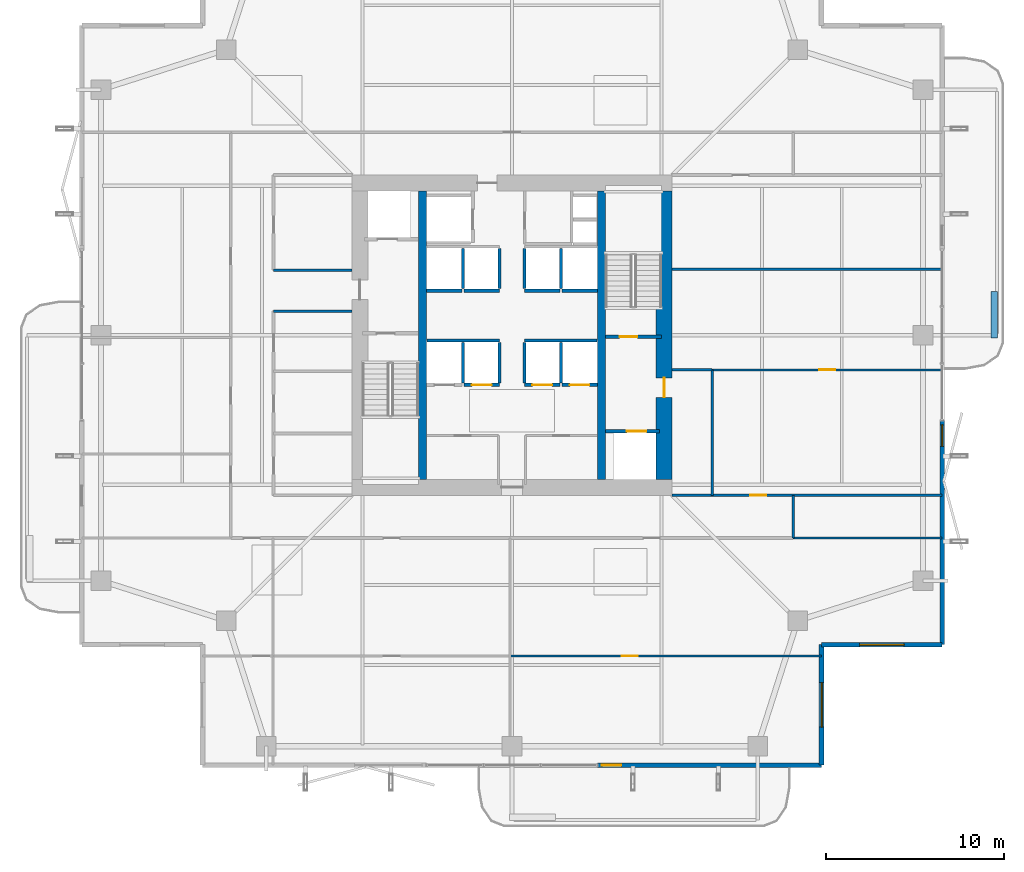
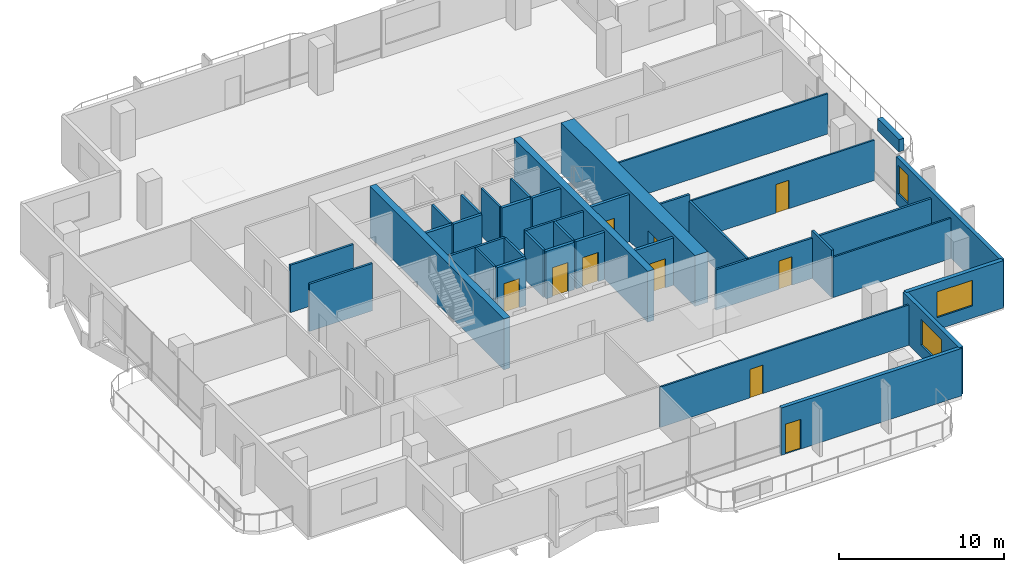
# One storey, part 19 of 24: 37 walls, 10 doors, 3 windows, 13 openings.
"""IFC4 building model written with IfcOpenShell, lengths in metres."""

from ifc_helpers import new_model, si_unit, direction, frame, frame_2d, origin, place, context, subcontext, project, spatial, rectangle, extrude, material, layer, layer_set, type_object, element, fill, save


model = new_model("IFC4")

# Units and contexts
model_context = context("Model", 3, precision=1e-05, world=origin(), true_north=direction((0.0, 1.0)))
body_context = subcontext(model_context, "Body", "Model", "MODEL_VIEW")
ifc_project = project(units=[si_unit("LENGTHUNIT", "METRE"), si_unit("AREAUNIT", "SQUARE_METRE"), si_unit("VOLUMEUNIT", "CUBIC_METRE"), si_unit("PLANEANGLEUNIT", "RADIAN"), si_unit("MASSUNIT", "GRAM", prefix="KILO")], contexts=[model_context])

# Site, building, storey
site_placement = place(None, origin())
site = spatial("IfcSite", under=ifc_project, at=site_placement, CompositionType="ELEMENT")
building_placement = place(site_placement, origin())
building = spatial("IfcBuilding", under=site, at=building_placement, Name="Belovzor Exchange Tower", CompositionType="ELEMENT")
storey_placement = place(building_placement, frame((0.0, 0.0, 179.550048828125)))
storey = spatial("IfcBuildingStorey", under=building, at=storey_placement, Name="L44", CompositionType="ELEMENT", Elevation=179.550048828125)

# Wall, opening, door
ifc_material_1 = material(Name="Acoustic Plasterboard on Galvanised Studs", Category="gypsum")
ifc_layer_1 = layer(ifc_material_1, 0.1201171875)
ifc_layer_set_1 = layer_set([ifc_layer_1], Name="Acoustic Plasterboard on Galvanised Studs")
wall_type_1 = type_object("IfcWallType", Name="Acoustic Double-Stud Partition Wall 120", PredefinedType="PARTITIONING", material=ifc_layer_set_1)
wall_1_placement = place(storey_placement, frame((28.696044921875, 10.76611328125, 0.0), z_axis=(0.0, 0.0, 1.0), x_axis=(1.0, 0.0, 0.0)))
wall_1 = element("IfcWall", 1, at=wall_1_placement, inside=storey, type_object=wall_type_1, Name="W-P120 Partition Wall W-L44-SHDIV-2", PredefinedType="PARTITIONING", context=body_context, shape_type="SweptSolid", body=[
    extrude(rectangle(XDim=17.50390625, YDim=0.1201171875, at=frame_2d((8.751953125, 0.0))), origin(), (0.0, 0.0, 1.0), 2.97998046875),
])
opening_1_placement = place(wall_1_placement, frame((6.277099609375, 0.0, 0.0)))
opening_1 = element("IfcOpeningElement", 2, at=opening_1_placement, cuts=wall_1, Name="Opening D-INT-090", PredefinedType="OPENING", context=body_context, shape_type="SweptSolid", body=[
    extrude(rectangle(XDim=0.89990234375, YDim=2.10009765625, at=frame_2d((0.449951171875, 1.050048828125))), frame((0.0, 0.070068359375, 0.0), z_axis=(0.0, -1.0, 0.0), x_axis=(1.0, 0.0, 0.0)), (0.0, 0.0, 1.0), 0.14013671875),
])
ifc_material_2 = material(Name="Veneered Hardwood Acoustic Leaf", Category="wood")
door_type_1 = type_object("IfcDoorType", Name="Trading Suite Acoustic Single Door 900x2100", OperationType="NOTDEFINED", PredefinedType="DOOR", material=ifc_material_2)
door_1_placement = place(opening_1_placement, origin())
door_1 = element("IfcDoor", 3, at=door_1_placement, inside=storey, type_object=door_type_1, Name="D-INT-090 Trading Suite Acoustic Single Door 900x2100", OperationType="SINGLE_SWING_LEFT", OverallHeight=2.10009765625, OverallWidth=0.89990234375, PredefinedType="DOOR", context=body_context, shape_type="SweptSolid", body=[
    extrude(rectangle(XDim=0.89990234375, YDim=2.10009765625, at=frame_2d((0.449951171875, 1.050048828125))), frame((0.0, 0.02490234375, 0.0), z_axis=(0.0, -1.0, 0.0), x_axis=(1.0, 0.0, 0.0)), (0.0, 0.0, 1.0), 0.050048828125),
])
fill(opening_1, door_1)

wall_2_placement = place(storey_placement, frame((40.050048828125, 26.85009765625, 0.0), z_axis=(0.0, 0.0, 1.0), x_axis=(1.0, 0.0, 0.0)))
wall_2 = element("IfcWall", 4, at=wall_2_placement, inside=storey, type_object=wall_type_1, Name="W-P120 Partition Wall W-L44-EDIV-1", PredefinedType="PARTITIONING", context=body_context, shape_type="SweptSolid", body=[
    extrude(rectangle(XDim=12.919921875, YDim=0.1201171875, at=frame_2d((6.4599609375, 0.0))), origin(), (0.0, 0.0, 1.0), 2.97998046875),
])
opening_2_placement = place(wall_2_placement, frame((6.010009765625, 0.0, 0.0)))
opening_2 = element("IfcOpeningElement", 5, at=opening_2_placement, cuts=wall_2, Name="Opening D-INT-090", PredefinedType="OPENING", context=body_context, shape_type="SweptSolid", body=[
    extrude(rectangle(XDim=0.89990234375, YDim=2.10009765625, at=frame_2d((0.449951171875, 1.050048828125))), frame((0.0, 0.070068359375, 0.0), z_axis=(0.0, -1.0, 0.0), x_axis=(1.0, 0.0, 0.0)), (0.0, 0.0, 1.0), 0.14013671875),
])
door_2_placement = place(opening_2_placement, origin())
door_2 = element("IfcDoor", 6, at=door_2_placement, inside=storey, type_object=door_type_1, Name="D-INT-090 Trading Suite Acoustic Single Door 900x2100", OperationType="SINGLE_SWING_LEFT", OverallHeight=2.10009765625, OverallWidth=0.89990234375, PredefinedType="DOOR", context=body_context, shape_type="SweptSolid", body=[
    extrude(rectangle(XDim=0.89990234375, YDim=2.10009765625, at=frame_2d((0.449951171875, 1.050048828125))), frame((0.0, 0.02490234375, 0.0), z_axis=(0.0, -1.0, 0.0), x_axis=(1.0, 0.0, 0.0)), (0.0, 0.0, 1.0), 0.050048828125),
])
fill(opening_2, door_2)

# Walls
wall_3_placement = place(storey_placement, frame((37.800048828125, 32.5, 0.0), z_axis=(0.0, 0.0, 1.0), x_axis=(1.0, 0.0, 0.0)))
element("IfcWall", 7, at=wall_3_placement, inside=storey, type_object=wall_type_1, Name="W-P120 Partition Wall W-L44-EDIV-2", PredefinedType="PARTITIONING", context=body_context, shape_type="SweptSolid", body=[
    extrude(rectangle(XDim=15.169921875, YDim=0.1201171875, at=frame_2d((7.5849609375, 0.0))), origin(), (0.0, 0.0, 1.0), 2.97998046875),
])
wall_4_placement = place(storey_placement, frame((44.60009765625, 17.39990234375, 0.0), z_axis=(0.0, 0.0, 1.0), x_axis=(1.0, 0.0, 0.0)))
element("IfcWall", 8, at=wall_4_placement, inside=storey, type_object=wall_type_1, Name="W-P120 Partition Wall W-L44-END-SE", PredefinedType="PARTITIONING", context=body_context, shape_type="SweptSolid", body=[
    extrude(rectangle(XDim=8.369873046875, YDim=0.1201171875, at=frame_2d((4.18505859375, 0.0))), origin(), (0.0, 0.0, 1.0), 2.97998046875),
])
ifc_material_3 = material(Name="Fire-Rated Gypsum Block and Mineral Wool", Category="gypsum")
ifc_layer_2 = layer(ifc_material_3, 0.14990234375)
ifc_layer_set_2 = layer_set([ifc_layer_2], Name="Fire-Rated Gypsum Block and Mineral Wool")
wall_type_2 = type_object("IfcWallType", Name="Fire-Rated Gypsum Block Corridor Wall 150", PredefinedType="PARTITIONING", material=ifc_layer_set_2)
for number, where, z_axis, x_axis, name in (
    (9, (15.39990234375, 30.14990234375, 0.0), (0.0, 0.0, 1.0), (1.0, 0.0, 0.0), "W-P150 Partition Wall W-L44-WIC-N"),
    (10, (15.39990234375, 32.449951171875, 0.0), (0.0, 0.0, 1.0), (1.0, 0.0, 0.0), "W-P150 Partition Wall W-L44-CFW-N"),
):
    element("IfcWall", number, at=place(storey_placement, frame(where, z_axis=z_axis, x_axis=x_axis)), inside=storey, type_object=wall_type_2, Name=name, PredefinedType="PARTITIONING", context=body_context, shape_type="SweptSolid", body=[
        extrude(rectangle(XDim=4.400146484375, YDim=0.14990234375, at=frame_2d((2.2001953125, 0.0))), origin(), (0.0, 0.0, 1.0), 3.494873046875),
    ])
wall_5_placement = place(storey_placement, frame((37.800048828125, 26.85009765625, 0.0), z_axis=(0.0, 0.0, 1.0), x_axis=(1.0, 0.0, 0.0)))
element("IfcWall", 11, at=wall_5_placement, inside=storey, type_object=wall_type_2, Name="W-P150 Partition Wall W-L44-CFE-N", PredefinedType="PARTITIONING", context=body_context, shape_type="SweptSolid", body=[
    extrude(rectangle(XDim=2.25, YDim=0.14990234375, at=frame_2d((1.125, 0.0))), origin(), (0.0, 0.0, 1.0), 3.494873046875),
])
wall_6_placement = place(storey_placement, frame((40.050048828125, 19.800048828125, 0.0), z_axis=(0.0, 0.0, 1.0), x_axis=(0.0, 1.0, 0.0)))
element("IfcWall", 12, at=wall_6_placement, inside=storey, type_object=wall_type_2, Name="W-P150 Partition Wall W-L44-CFE-E", PredefinedType="PARTITIONING", context=body_context, shape_type="SweptSolid", body=[
    extrude(rectangle(XDim=7.050048828125, YDim=0.14990234375, at=frame_2d((3.52490234375, 0.0))), origin(), (0.0, 0.0, 1.0), 3.030029296875),
])
wall_7_placement = place(storey_placement, frame((44.60009765625, 17.39990234375, 0.0), z_axis=(0.0, 0.0, 1.0), x_axis=(0.0, 1.0, 0.0)))
element("IfcWall", 13, at=wall_7_placement, inside=storey, type_object=wall_type_2, Name="W-P150 Partition Wall W-L44-END-ES", PredefinedType="PARTITIONING", context=body_context, shape_type="SweptSolid", body=[
    extrude(rectangle(XDim=2.400146484375, YDim=0.14990234375, at=frame_2d((1.2001953125, 0.0))), origin(), (0.0, 0.0, 1.0), 3.494873046875),
])

# Wall, opening, door
wall_8_placement = place(storey_placement, frame((37.800048828125, 19.800048828125, 0.0), z_axis=(0.0, 0.0, 1.0), x_axis=(1.0, 0.0, 0.0)))
wall_8 = element("IfcWall", 14, at=wall_8_placement, inside=storey, type_object=wall_type_2, Name="W-P150 Partition Wall W-L44-CS-IN", PredefinedType="PARTITIONING", context=body_context, shape_type="SweptSolid", body=[
    extrude(rectangle(XDim=15.169921875, YDim=0.14990234375, at=frame_2d((7.5849609375, 0.0))), origin(), (0.0, 0.0, 1.0), 2.97998046875),
])
opening_3_placement = place(wall_8_placement, frame((4.39990234375, 0.0, 0.0)))
opening_3 = element("IfcOpeningElement", 15, at=opening_3_placement, cuts=wall_8, Name="Opening D-INT-090", PredefinedType="OPENING", context=body_context, shape_type="SweptSolid", body=[
    extrude(rectangle(XDim=0.89990234375, YDim=2.10009765625, at=frame_2d((0.449951171875, 1.050048828125))), frame((0.0, 0.0849609375, 0.0), z_axis=(0.0, -1.0, 0.0), x_axis=(1.0, 0.0, 0.0)), (0.0, 0.0, 1.0), 0.169921875),
])
door_3_placement = place(opening_3_placement, origin())
door_3 = element("IfcDoor", 16, at=door_3_placement, inside=storey, type_object=door_type_1, Name="D-INT-090 Trading Suite Acoustic Single Door 900x2100", OperationType="SINGLE_SWING_LEFT", OverallHeight=2.10009765625, OverallWidth=0.89990234375, PredefinedType="DOOR", context=body_context, shape_type="SweptSolid", body=[
    extrude(rectangle(XDim=0.89990234375, YDim=2.10009765625, at=frame_2d((0.449951171875, 1.050048828125))), frame((0.0, 0.02490234375, 0.0), z_axis=(0.0, -1.0, 0.0), x_axis=(1.0, 0.0, 0.0)), (0.0, 0.0, 1.0), 0.050048828125),
])
fill(opening_3, door_3)

# Wall, opening, window
ifc_material_4 = material(Name="Precast concrete C40/50", Category="concrete")
ifc_layer_3 = layer(ifc_material_4, 0.280029296875)
ifc_layer_set_3 = layer_set([ifc_layer_3], Name="Precast concrete C40/50")
wall_type_3 = type_object("IfcWallType", Name="Precast Concrete Notched Corner Frame Wall 280", PredefinedType="SOLIDWALL", material=ifc_layer_set_3)
wall_9_placement = place(storey_placement, frame((52.969970703125, 11.39990234375, 0.0), z_axis=(0.0, 0.0, 1.0), x_axis=(-1.0, 0.0, 0.0)))
wall_9 = element("IfcWall", 17, at=wall_9_placement, inside=storey, type_object=wall_type_3, Name="W-CRN280 Precast Concrete Notched Corner Frame Wall 280 L44", PredefinedType="SOLIDWALL", context=body_context, shape_type="SweptSolid", body=[
    extrude(rectangle(XDim=6.77001953125, YDim=0.280029296875, at=frame_2d((3.385009765625, 0.0))), origin(), (0.0, 0.0, 1.0), 3.494873046875),
])
opening_4_placement = place(wall_9_placement, frame((2.135009765625, 0.0, 0.89990234375)))
opening_4 = element("IfcOpeningElement", 18, at=opening_4_placement, cuts=wall_9, Name="Opening WN-CRN250", PredefinedType="OPENING", context=body_context, shape_type="SweptSolid", body=[
    extrude(rectangle(XDim=2.5, YDim=1.89990234375, at=frame_2d((1.25, 0.949951171875))), frame((0.0, 0.14990234375, 0.0), z_axis=(0.0, -1.0, 0.0), x_axis=(1.0, 0.0, 0.0)), (0.0, 0.0, 1.0), 0.300048828125),
])
ifc_material_5 = material(Name="Thermally Broken Aluminium and Triple Glazing", Category="aluminium")
window_type_1 = type_object("IfcWindowType", Name="Streamline Moderne Corner Wrap Ribbon Window 2500x1900", PartitioningType="SINGLE_PANEL", PredefinedType="WINDOW", material=ifc_material_5)
window_1_placement = place(opening_4_placement, origin())
window_1 = element("IfcWindow", 19, at=window_1_placement, inside=storey, type_object=window_type_1, Name="WN-CRN250 Streamline Moderne Corner Wrap Ribbon Window 2500x1900", OverallHeight=1.89990234375, OverallWidth=2.5, PartitioningType="SINGLE_PANEL", PredefinedType="WINDOW", context=body_context, shape_type="SweptSolid", body=[
    extrude(rectangle(XDim=2.5, YDim=1.89990234375, at=frame_2d((1.25, 0.949951171875))), frame((0.0, 0.030029296875, 0.0), z_axis=(0.0, -1.0, 0.0), x_axis=(1.0, 0.0, 0.0)), (0.0, 0.0, 1.0), 0.06005859375),
])
fill(opening_4, window_1)

wall_10_placement = place(storey_placement, frame((46.199951171875, 11.39990234375, 0.0), z_axis=(0.0, 0.0, 1.0), x_axis=(0.0, -1.0, 0.0)))
wall_10 = element("IfcWall", 20, at=wall_10_placement, inside=storey, type_object=wall_type_3, Name="W-CRN280 Precast Concrete Notched Corner Frame Wall 280 L44", PredefinedType="SOLIDWALL", context=body_context, shape_type="SweptSolid", body=[
    extrude(rectangle(XDim=6.77001953125, YDim=0.280029296875, at=frame_2d((3.385009765625, 0.0))), origin(), (0.0, 0.0, 1.0), 3.494873046875),
])
opening_5_placement = place(wall_10_placement, frame((2.135009765625, 0.0, 0.89990234375)))
opening_5 = element("IfcOpeningElement", 21, at=opening_5_placement, cuts=wall_10, Name="Opening WN-CRN250", PredefinedType="OPENING", context=body_context, shape_type="SweptSolid", body=[
    extrude(rectangle(XDim=2.5, YDim=1.89990234375, at=frame_2d((1.25, 0.949951171875))), frame((0.0, 0.14990234375, 0.0), z_axis=(0.0, -1.0, 0.0), x_axis=(1.0, 0.0, 0.0)), (0.0, 0.0, 1.0), 0.300048828125),
])
window_2_placement = place(opening_5_placement, origin())
window_2 = element("IfcWindow", 22, at=window_2_placement, inside=storey, type_object=window_type_1, Name="WN-CRN250 Streamline Moderne Corner Wrap Ribbon Window 2500x1900", OverallHeight=1.89990234375, OverallWidth=2.5, PartitioningType="SINGLE_PANEL", PredefinedType="WINDOW", context=body_context, shape_type="SweptSolid", body=[
    extrude(rectangle(XDim=2.5, YDim=1.89990234375, at=frame_2d((1.25, 0.949951171875))), frame((0.0, 0.030029296875, 0.0), z_axis=(0.0, -1.0, 0.0), x_axis=(1.0, 0.0, 0.0)), (0.0, 0.0, 1.0), 0.06005859375),
])
fill(opening_5, window_2)

# Wall, opening, door
ifc_material_6 = material(Name="Precast concrete C40/50", Category="concrete")
ifc_layer_4 = layer(ifc_material_6, 0.260009765625)
ifc_layer_set_4 = layer_set([ifc_layer_4], Name="Precast concrete C40/50")
wall_type_4 = type_object("IfcWallType", Name="Precast Concrete Perimeter Loggia Frame Wall 260", PredefinedType="SOLIDWALL", material=ifc_layer_set_4)
wall_11_placement = place(storey_placement, frame((46.199951171875, 4.6298828125, 0.0), z_axis=(0.0, 0.0, 1.0), x_axis=(-1.0, 0.0, 0.0)))
wall_11 = element("IfcWall", 23, at=wall_11_placement, inside=storey, type_object=wall_type_4, Name="W-EXT260 Precast Concrete Perimeter Loggia Frame Wall 260 L44", PredefinedType="SOLIDWALL", context=body_context, shape_type="SweptSolid", body=[
    extrude(rectangle(XDim=12.599853515625, YDim=0.260009765625, at=frame_2d((6.2998046875, 0.0))), origin(), (0.0, 0.0, 1.0), 3.494873046875),
])
opening_6_placement = place(wall_11_placement, frame((11.25, 0.0, 0.0)))
opening_6 = element("IfcOpeningElement", 24, at=opening_6_placement, cuts=wall_11, Name="Opening D-BAL110", PredefinedType="OPENING", context=body_context, shape_type="SweptSolid", body=[
    extrude(rectangle(XDim=1.10009765625, YDim=2.199951171875, at=frame_2d((0.550048828125, 1.10009765625))), frame((0.0, 0.139892578125, 0.0), z_axis=(0.0, -1.0, 0.0), x_axis=(1.0, 0.0, 0.0)), (0.0, 0.0, 1.0), 0.280029296875),
])
ifc_material_7 = material(Name="Thermally Broken Anodised Aluminium and Laminated Glass", Category="aluminium")
door_type_2 = type_object("IfcDoorType", Name="Planted Loggia Terrace Glazed Door 1100x2200", OperationType="SINGLE_SWING_LEFT", PredefinedType="DOOR", material=ifc_material_7)
door_4_placement = place(opening_6_placement, origin())
door_4 = element("IfcDoor", 25, at=door_4_placement, inside=storey, type_object=door_type_2, Name="D-BAL110 Balcony Terrace Door L44 S", OperationType="SINGLE_SWING_LEFT", OverallHeight=2.199951171875, OverallWidth=1.10009765625, PredefinedType="DOOR", context=body_context, shape_type="SweptSolid", body=[
    extrude(rectangle(XDim=1.10009765625, YDim=2.199951171875, at=frame_2d((0.550048828125, 1.10009765625))), frame((0.0, 0.02490234375, 0.0), z_axis=(0.0, -1.0, 0.0), x_axis=(1.0, 0.0, 0.0)), (0.0, 0.0, 1.0), 0.050048828125),
])
fill(opening_6, door_4)

# Wall, opening, window
wall_12_placement = place(storey_placement, frame((52.969970703125, 24.0, 0.0), z_axis=(0.0, 0.0, 1.0), x_axis=(0.0, -1.0, 0.0)))
wall_12 = element("IfcWall", 26, at=wall_12_placement, inside=storey, type_object=wall_type_4, Name="W-EXT260 Precast Concrete Perimeter Loggia Frame Wall 260 L44", PredefinedType="SOLIDWALL", context=body_context, shape_type="SweptSolid", body=[
    extrude(rectangle(XDim=12.60009765625, YDim=0.260009765625, at=frame_2d((6.300048828125, 0.0))), origin(), (0.0, 0.0, 1.0), 3.494873046875),
])
opening_7_placement = place(wall_12_placement, frame((0.25, 0.0, 0.89990234375)))
opening_7 = element("IfcOpeningElement", 27, at=opening_7_placement, cuts=wall_12, Name="Opening WN-CRN120", PredefinedType="OPENING", context=body_context, shape_type="SweptSolid", body=[
    extrude(rectangle(XDim=1.199951171875, YDim=2.10009765625, at=frame_2d((0.60009765625, 1.050048828125))), frame((0.0, 0.139892578125, 0.0), z_axis=(0.0, -1.0, 0.0), x_axis=(1.0, 0.0, 0.0)), (0.0, 0.0, 1.0), 0.280029296875),
])
ifc_material_8 = material(Name="Thermally Broken Aluminium and Triple Glazing", Category="aluminium")
window_type_2 = type_object("IfcWindowType", Name="Streamline Notched Corner Window 1200x2100", PartitioningType="SINGLE_PANEL", PredefinedType="WINDOW", material=ifc_material_8)
window_3_placement = place(opening_7_placement, origin())
window_3 = element("IfcWindow", 28, at=window_3_placement, inside=storey, type_object=window_type_2, Name="WN-CRN120 Streamline Notched Corner Window 1200x2100", OverallHeight=2.10009765625, OverallWidth=1.199951171875, PartitioningType="SINGLE_PANEL", PredefinedType="WINDOW", context=body_context, shape_type="SweptSolid", body=[
    extrude(rectangle(XDim=1.199951171875, YDim=2.10009765625, at=frame_2d((0.60009765625, 1.050048828125))), frame((0.0, 0.030029296875, 0.0), z_axis=(0.0, -1.0, 0.0), x_axis=(1.0, 0.0, 0.0)), (0.0, 0.0, 1.0), 0.06005859375),
])
fill(opening_7, window_3)

# Walls
ifc_material_9 = material(Name="Precast concrete C40/50", Category="concrete")
ifc_layer_5 = layer(ifc_material_9, 0.35009765625)
ifc_layer_set_5 = layer_set([ifc_layer_5], Name="Precast concrete C40/50")
wall_type_5 = type_object("IfcWallType", Name="Precast Concrete Structural Tree Planter Trough 350", PredefinedType="PARAPET", material=ifc_layer_set_5)
wall_13_placement = place(storey_placement, frame((55.89990234375, 28.64990234375, 0.0), z_axis=(0.0, 0.0, 1.0), x_axis=(0.0, 1.0, 0.0)))
element("IfcWall", 29, at=wall_13_placement, inside=storey, type_object=wall_type_5, Name="PT-350 Precast Concrete Structural Tree Planter Trough 350 L44", PredefinedType="PARAPET", context=body_context, shape_type="SweptSolid", body=[
    extrude(rectangle(XDim=2.60009765625, YDim=0.35009765625, at=frame_2d((1.300048828125, 0.0))), origin(), (0.0, 0.0, 1.0), 0.89990234375),
])
ifc_material_10 = material(Name="Concrete C50/60", Category="concrete")
ifc_layer_6 = layer(ifc_material_10, 0.449951171875)
ifc_layer_set_6 = layer_set([ifc_layer_6], Name="Concrete C50/60")
wall_type_6 = type_object("IfcWallType", Name="Reinforced Concrete Core Internal Web Wall 450", PredefinedType="SHEAR", material=ifc_layer_set_6)
for number, where, z_axis, x_axis, name in (
    (30, (23.77490234375, 20.699951171875, 0.0), (0.0, 0.0, 1.0), (0.0, 1.0, 0.0), "CW-W045 Core Internal Web Wall L44 WL"),
    (31, (33.824951171875, 20.699951171875, 0.0), (0.0, 0.0, 1.0), (0.0, 1.0, 0.0), "CW-W045 Core Internal Web Wall L44 ER"),
):
    element("IfcWall", number, at=place(storey_placement, frame(where, z_axis=z_axis, x_axis=x_axis)), inside=storey, type_object=wall_type_6, Name=name, PredefinedType="SHEAR", context=body_context, shape_type="SweptSolid", body=[
        extrude(rectangle(XDim=16.199951171875, YDim=0.449951171875, at=frame_2d((8.10009765625, 0.0))), origin(), (0.0, 0.0, 1.0), 3.75),
    ])
ifc_material_11 = material(Name="Concrete C50/60", Category="concrete")
ifc_layer_7 = layer(ifc_material_11, 0.14990234375)
ifc_layer_set_7 = layer_set([ifc_layer_7], Name="Concrete C50/60")
wall_type_7 = type_object("IfcWallType", Name="Reinforced Concrete Core Riser Shear Wall 150", PredefinedType="SHEAR", material=ifc_layer_set_7)
for number, where, z_axis, x_axis, name in (
    (32, (24.02001953125, 28.5, 0.0), (0.0, 0.0, 1.0), (1.0, 0.0, 0.0), "W-C150S Core Shaft Wall W-SHB-L44-PLM-NW"),
    (33, (29.5, 28.5, 0.0), (0.0, 0.0, 1.0), (1.0, 0.0, 0.0), "W-C150S Core Shaft Wall W-SHB-L44-PLM-NE"),
):
    element("IfcWall", number, at=place(storey_placement, frame(where, z_axis=z_axis, x_axis=x_axis)), inside=storey, type_object=wall_type_7, Name=name, PredefinedType="SHEAR", context=body_context, shape_type="SweptSolid", body=[
        extrude(rectangle(XDim=4.080078125, YDim=0.14990234375, at=frame_2d((2.0400390625, 0.0))), origin(), (0.0, 0.0, 1.0), 3.494873046875),
    ])
for number, where, z_axis, x_axis, name in (
    (34, (26.050048828125, 26.1201171875, 0.0), (0.0, 0.0, 1.0), (0.0, 1.0, 0.0), "W-C150S Core Shaft Wall W-SHD-L44-PLM-1"),
    (35, (28.10009765625, 26.1201171875, 0.0), (0.0, 0.0, 1.0), (0.0, 1.0, 0.0), "W-C150S Core Shaft Wall W-SHD-L44-PLM-2"),
    (36, (29.5, 26.1201171875, 0.0), (0.0, 0.0, 1.0), (0.0, 1.0, 0.0), "W-C150S Core Shaft Wall W-SHD-L44-PLM-3"),
    (37, (31.550048828125, 26.1201171875, 0.0), (0.0, 0.0, 1.0), (0.0, 1.0, 0.0), "W-C150S Core Shaft Wall W-SHD-L44-PLM-4"),
):
    element("IfcWall", number, at=place(storey_placement, frame(where, z_axis=z_axis, x_axis=x_axis)), inside=storey, type_object=wall_type_7, Name=name, PredefinedType="SHEAR", context=body_context, shape_type="SweptSolid", body=[
        extrude(rectangle(XDim=2.27978515625, YDim=0.14990234375, at=frame_2d((1.139892578125, 0.0))), origin(), (0.0, 0.0, 1.0), 3.494873046875),
    ])
for number, where, z_axis, x_axis, name in (
    (38, (26.050048828125, 31.419921875, 0.0), (0.0, 0.0, 1.0), (0.0, 1.0, 0.0), "W-C150S Core Shaft Wall W-SHD-L44-PLH-1"),
    (39, (28.10009765625, 31.419921875, 0.0), (0.0, 0.0, 1.0), (0.0, 1.0, 0.0), "W-C150S Core Shaft Wall W-SHD-L44-PLH-2"),
    (40, (29.5, 31.419921875, 0.0), (0.0, 0.0, 1.0), (0.0, 1.0, 0.0), "W-C150S Core Shaft Wall W-SHD-L44-PLH-3"),
    (41, (31.550048828125, 31.419921875, 0.0), (0.0, 0.0, 1.0), (0.0, 1.0, 0.0), "W-C150S Core Shaft Wall W-SHD-L44-PLH-4"),
):
    element("IfcWall", number, at=place(storey_placement, frame(where, z_axis=z_axis, x_axis=x_axis)), inside=storey, type_object=wall_type_7, Name=name, PredefinedType="SHEAR", context=body_context, shape_type="SweptSolid", body=[
        extrude(rectangle(XDim=2.239990234375, YDim=0.14990234375, at=frame_2d((1.1201171875, 0.0))), origin(), (0.0, 0.0, 1.0), 3.494873046875),
    ])

# Wall, opening, door
ifc_material_12 = material(Name="Concrete C50/60", Category="concrete")
ifc_layer_8 = layer(ifc_material_12, 0.199951171875)
ifc_layer_set_8 = layer_set([ifc_layer_8], Name="Concrete C50/60")
wall_type_8 = type_object("IfcWallType", Name="Reinforced Concrete Core Shaft Shear Wall 200", PredefinedType="SHEAR", material=ifc_layer_set_8)
wall_14_placement = place(storey_placement, frame((34.050048828125, 28.699951171875, 0.0), z_axis=(0.0, 0.0, 1.0), x_axis=(1.0, 0.0, 0.0)))
wall_14 = element("IfcWall", 42, at=wall_14_placement, inside=storey, type_object=wall_type_8, Name="W-C200S Core Shaft Wall W-CORE-L44-FFLE2", PredefinedType="SHEAR", context=body_context, shape_type="SweptSolid", body=[
    extrude(rectangle(XDim=3.14990234375, YDim=0.199951171875, at=frame_2d((1.574951171875, 0.0))), origin(), (0.0, 0.0, 1.0), 3.494873046875),
])
opening_8_placement = place(wall_14_placement, frame((0.800048828125, 0.0, 0.0)))
opening_8 = element("IfcOpeningElement", 43, at=opening_8_placement, cuts=wall_14, Name="Opening D-FD90-100", PredefinedType="OPENING", context=body_context, shape_type="SweptSolid", body=[
    extrude(rectangle(XDim=1.0, YDim=2.10009765625, at=frame_2d((0.5, 1.050048828125))), frame((0.0, 0.10986328125, 0.0), z_axis=(0.0, -1.0, 0.0), x_axis=(1.0, 0.0, 0.0)), (0.0, 0.0, 1.0), 0.219970703125),
])
ifc_material_13 = material(Name="Fire-Rated Galvanised Steel Leaf", Category="steel")
door_type_3 = type_object("IfcDoorType", Name="Protected Stairwell Single Fire Door 1000x2100", OperationType="NOTDEFINED", PredefinedType="DOOR", material=ifc_material_13)
door_5_placement = place(opening_8_placement, origin())
door_5 = element("IfcDoor", 44, at=door_5_placement, inside=storey, type_object=door_type_3, Name="D-FD90-100 Protected Stairwell Single Fire Door 1000x2100", OperationType="SINGLE_SWING_LEFT", OverallHeight=2.10009765625, OverallWidth=1.0, PredefinedType="DOOR", context=body_context, shape_type="SweptSolid", body=[
    extrude(rectangle(XDim=1.0, YDim=2.10009765625, at=frame_2d((0.5, 1.050048828125))), frame((0.0, 0.02490234375, 0.0), z_axis=(0.0, -1.0, 0.0), x_axis=(1.0, 0.0, 0.0)), (0.0, 0.0, 1.0), 0.050048828125),
])
fill(opening_8, door_5)

wall_15_placement = place(storey_placement, frame((34.050048828125, 23.39990234375, 0.0), z_axis=(0.0, 0.0, 1.0), x_axis=(1.0, 0.0, 0.0)))
wall_15 = element("IfcWall", 45, at=wall_15_placement, inside=storey, type_object=wall_type_8, Name="W-C200S Core Shaft Wall W-SH-L44-FFL-02", PredefinedType="SHEAR", context=body_context, shape_type="SweptSolid", body=[
    extrude(rectangle(XDim=3.050048828125, YDim=0.199951171875, at=frame_2d((1.52490234375, 0.0))), origin(), (0.0, 0.0, 1.0), 3.494873046875),
])
opening_9_placement = place(wall_15_placement, frame((1.199951171875, 0.0, 0.0)))
opening_9 = element("IfcOpeningElement", 46, at=opening_9_placement, cuts=wall_15, Name="Opening LD-110", PredefinedType="OPENING", context=body_context, shape_type="SweptSolid", body=[
    extrude(rectangle(XDim=1.10009765625, YDim=2.14990234375, at=frame_2d((0.550048828125, 1.074951171875))), frame((0.0, 0.10986328125, 0.0), z_axis=(0.0, -1.0, 0.0), x_axis=(1.0, 0.0, 0.0)), (0.0, 0.0, 1.0), 0.219970703125),
])
ifc_material_14 = material(Name="Stainless Steel Grade 304", Category="steel")
door_type_4 = type_object("IfcDoorType", Name="Automated Stainless Steel Lift Landing Door 1100x2150", OperationType="SLIDING_TO_RIGHT", PredefinedType="DOOR", material=ifc_material_14)
door_6_placement = place(opening_9_placement, origin())
door_6 = element("IfcDoor", 47, at=door_6_placement, inside=storey, type_object=door_type_4, Name="LD-110 Automated Stainless Steel Lift Landing Door 1100x2150", OperationType="SLIDING_TO_RIGHT", OverallHeight=2.14990234375, OverallWidth=1.10009765625, PredefinedType="DOOR", context=body_context, shape_type="SweptSolid", body=[
    extrude(rectangle(XDim=1.10009765625, YDim=2.14990234375, at=frame_2d((0.550048828125, 1.074951171875))), frame((0.0, 0.02490234375, 0.0), z_axis=(0.0, -1.0, 0.0), x_axis=(1.0, 0.0, 0.0)), (0.0, 0.0, 1.0), 0.050048828125),
])
fill(opening_9, door_6)

wall_16_placement = place(storey_placement, frame((26.10009765625, 26.0, 0.0), z_axis=(0.0, 0.0, 1.0), x_axis=(1.0, 0.0, 0.0)))
wall_16 = element("IfcWall", 48, at=wall_16_placement, inside=storey, type_object=wall_type_8, Name="W-C200S Core Shaft Wall W-SH-L44-PL-M2", PredefinedType="SHEAR", context=body_context, shape_type="SweptSolid", body=[
    extrude(rectangle(XDim=2.0, YDim=0.199951171875, at=frame_2d((1.0, 0.0))), origin(), (0.0, 0.0, 1.0), 3.494873046875),
])
opening_10_placement = place(wall_16_placement, frame((0.449951171875, 0.0, 0.0)))
opening_10 = element("IfcOpeningElement", 49, at=opening_10_placement, cuts=wall_16, Name="Opening LD-110", PredefinedType="OPENING", context=body_context, shape_type="SweptSolid", body=[
    extrude(rectangle(XDim=1.10009765625, YDim=2.14990234375, at=frame_2d((0.550048828125, 1.074951171875))), frame((0.0, 0.10986328125, 0.0), z_axis=(0.0, -1.0, 0.0), x_axis=(1.0, 0.0, 0.0)), (0.0, 0.0, 1.0), 0.219970703125),
])
door_7_placement = place(opening_10_placement, origin())
door_7 = element("IfcDoor", 50, at=door_7_placement, inside=storey, type_object=door_type_4, Name="LD-110 Automated Stainless Steel Lift Landing Door 1100x2150", OperationType="SLIDING_TO_RIGHT", OverallHeight=2.14990234375, OverallWidth=1.10009765625, PredefinedType="DOOR", context=body_context, shape_type="SweptSolid", body=[
    extrude(rectangle(XDim=1.10009765625, YDim=2.14990234375, at=frame_2d((0.550048828125, 1.074951171875))), frame((0.0, 0.02490234375, 0.0), z_axis=(0.0, -1.0, 0.0), x_axis=(1.0, 0.0, 0.0)), (0.0, 0.0, 1.0), 0.050048828125),
])
fill(opening_10, door_7)

wall_17_placement = place(storey_placement, frame((29.5, 26.0, 0.0), z_axis=(0.0, 0.0, 1.0), x_axis=(1.0, 0.0, 0.0)))
wall_17 = element("IfcWall", 51, at=wall_17_placement, inside=storey, type_object=wall_type_8, Name="W-C200S Core Shaft Wall W-SH-L44-PL-M3", PredefinedType="SHEAR", context=body_context, shape_type="SweptSolid", body=[
    extrude(rectangle(XDim=2.0, YDim=0.199951171875, at=frame_2d((1.0, 0.0))), origin(), (0.0, 0.0, 1.0), 3.494873046875),
])
opening_11_placement = place(wall_17_placement, frame((0.449951171875, 0.0, 0.0)))
opening_11 = element("IfcOpeningElement", 52, at=opening_11_placement, cuts=wall_17, Name="Opening LD-110", PredefinedType="OPENING", context=body_context, shape_type="SweptSolid", body=[
    extrude(rectangle(XDim=1.10009765625, YDim=2.14990234375, at=frame_2d((0.550048828125, 1.074951171875))), frame((0.0, 0.10986328125, 0.0), z_axis=(0.0, -1.0, 0.0), x_axis=(1.0, 0.0, 0.0)), (0.0, 0.0, 1.0), 0.219970703125),
])
door_8_placement = place(opening_11_placement, origin())
door_8 = element("IfcDoor", 53, at=door_8_placement, inside=storey, type_object=door_type_4, Name="LD-110 Automated Stainless Steel Lift Landing Door 1100x2150", OperationType="SLIDING_TO_RIGHT", OverallHeight=2.14990234375, OverallWidth=1.10009765625, PredefinedType="DOOR", context=body_context, shape_type="SweptSolid", body=[
    extrude(rectangle(XDim=1.10009765625, YDim=2.14990234375, at=frame_2d((0.550048828125, 1.074951171875))), frame((0.0, 0.02490234375, 0.0), z_axis=(0.0, -1.0, 0.0), x_axis=(1.0, 0.0, 0.0)), (0.0, 0.0, 1.0), 0.050048828125),
])
fill(opening_11, door_8)

wall_18_placement = place(storey_placement, frame((31.60009765625, 26.0, 0.0), z_axis=(0.0, 0.0, 1.0), x_axis=(1.0, 0.0, 0.0)))
wall_18 = element("IfcWall", 54, at=wall_18_placement, inside=storey, type_object=wall_type_8, Name="W-C200S Core Shaft Wall W-SH-L44-PL-M4", PredefinedType="SHEAR", context=body_context, shape_type="SweptSolid", body=[
    extrude(rectangle(XDim=2.0, YDim=0.199951171875, at=frame_2d((1.0, 0.0))), origin(), (0.0, 0.0, 1.0), 3.494873046875),
])
opening_12_placement = place(wall_18_placement, frame((0.449951171875, 0.0, 0.0)))
opening_12 = element("IfcOpeningElement", 55, at=opening_12_placement, cuts=wall_18, Name="Opening LD-110", PredefinedType="OPENING", context=body_context, shape_type="SweptSolid", body=[
    extrude(rectangle(XDim=1.10009765625, YDim=2.14990234375, at=frame_2d((0.550048828125, 1.074951171875))), frame((0.0, 0.10986328125, 0.0), z_axis=(0.0, -1.0, 0.0), x_axis=(1.0, 0.0, 0.0)), (0.0, 0.0, 1.0), 0.219970703125),
])
door_9_placement = place(opening_12_placement, origin())
door_9 = element("IfcDoor", 56, at=door_9_placement, inside=storey, type_object=door_type_4, Name="LD-110 Automated Stainless Steel Lift Landing Door 1100x2150", OperationType="SLIDING_TO_RIGHT", OverallHeight=2.14990234375, OverallWidth=1.10009765625, PredefinedType="DOOR", context=body_context, shape_type="SweptSolid", body=[
    extrude(rectangle(XDim=1.10009765625, YDim=2.14990234375, at=frame_2d((0.550048828125, 1.074951171875))), frame((0.0, 0.02490234375, 0.0), z_axis=(0.0, -1.0, 0.0), x_axis=(1.0, 0.0, 0.0)), (0.0, 0.0, 1.0), 0.050048828125),
])
fill(opening_12, door_9)

# Walls
for number, where, z_axis, x_axis, name in (
    (57, (24.0, 31.300048828125, 0.0), (0.0, 0.0, 1.0), (1.0, 0.0, 0.0), "W-C200S Core Shaft Wall W-SH-L44-PL-H1"),
    (58, (26.10009765625, 31.300048828125, 0.0), (0.0, 0.0, 1.0), (1.0, 0.0, 0.0), "W-C200S Core Shaft Wall W-SH-L44-PL-H2"),
    (59, (29.5, 31.300048828125, 0.0), (0.0, 0.0, 1.0), (1.0, 0.0, 0.0), "W-C200S Core Shaft Wall W-SH-L44-PL-H3"),
    (60, (31.60009765625, 31.300048828125, 0.0), (0.0, 0.0, 1.0), (1.0, 0.0, 0.0), "W-C200S Core Shaft Wall W-SH-L44-PL-H4"),
):
    element("IfcWall", number, at=place(storey_placement, frame(where, z_axis=z_axis, x_axis=x_axis)), inside=storey, type_object=wall_type_8, Name=name, PredefinedType="SHEAR", context=body_context, shape_type="SweptSolid", body=[
        extrude(rectangle(XDim=2.0, YDim=0.199951171875, at=frame_2d((1.0, 0.0))), origin(), (0.0, 0.0, 1.0), 3.494873046875),
    ])

# Wall, opening, door
ifc_material_15 = material(Name="Concrete C60/75", Category="concrete")
ifc_layer_9 = layer(ifc_material_15, 0.89990234375)
ifc_layer_set_9 = layer_set([ifc_layer_9], Name="Concrete C60/75")
wall_type_9 = type_object("IfcWallType", Name="Reinforced Concrete Core Shear Wall 900", PredefinedType="SHEAR", material=ifc_layer_set_9)
wall_19_placement = place(storey_placement, frame((37.35009765625, 20.699951171875, 0.0), z_axis=(0.0, 0.0, 1.0), x_axis=(0.0, 1.0, 0.0)))
wall_19 = element("IfcWall", 61, at=wall_19_placement, inside=storey, type_object=wall_type_9, Name="CW-S090 Core Shear Wall L44 E", PredefinedType="SHEAR", context=body_context, shape_type="SweptSolid", body=[
    extrude(rectangle(XDim=16.199951171875, YDim=0.89990234375, at=frame_2d((8.10009765625, 0.0))), origin(), (0.0, 0.0, 1.0), 3.75),
])
opening_13_placement = place(wall_19_placement, frame((4.60009765625, 0.0, 0.0)))
opening_13 = element("IfcOpeningElement", 62, at=opening_13_placement, cuts=wall_19, Name="Opening D-FD90-110", PredefinedType="OPENING", context=body_context, shape_type="SweptSolid", body=[
    extrude(rectangle(XDim=1.10009765625, YDim=2.14990234375, at=frame_2d((0.550048828125, 1.074951171875))), frame((0.0, 0.4599609375, 0.0), z_axis=(0.0, -1.0, 0.0), x_axis=(1.0, 0.0, 0.0)), (0.0, 0.0, 1.0), 0.919921875),
])
ifc_material_16 = material(Name="Fire-Rated Galvanised Steel Leaf", Category="steel")
door_type_5 = type_object("IfcDoorType", Name="Protected Escape Vestibule Fire Door 1100x2150", OperationType="NOTDEFINED", PredefinedType="DOOR", material=ifc_material_16)
door_10_placement = place(opening_13_placement, origin())
door_10 = element("IfcDoor", 63, at=door_10_placement, inside=storey, type_object=door_type_5, Name="D-FD90-110 Protected Escape Vestibule Fire Door 1100x2150", OperationType="SINGLE_SWING_RIGHT", OverallHeight=2.14990234375, OverallWidth=1.10009765625, PredefinedType="DOOR", context=body_context, shape_type="SweptSolid", body=[
    extrude(rectangle(XDim=1.10009765625, YDim=2.14990234375, at=frame_2d((0.550048828125, 1.074951171875))), frame((0.0, 0.02490234375, 0.0), z_axis=(0.0, -1.0, 0.0), x_axis=(1.0, 0.0, 0.0)), (0.0, 0.0, 1.0), 0.050048828125),
])
fill(opening_13, door_10)

save(model, "model.ifc")
